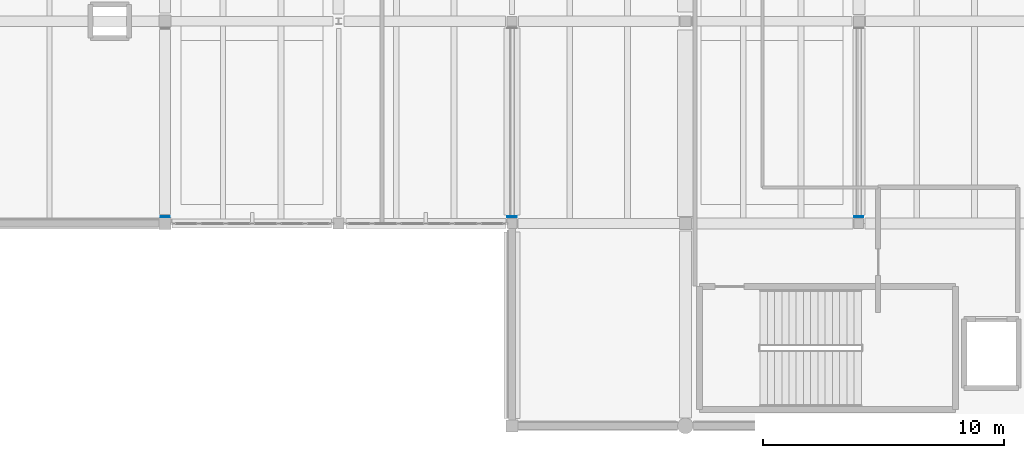
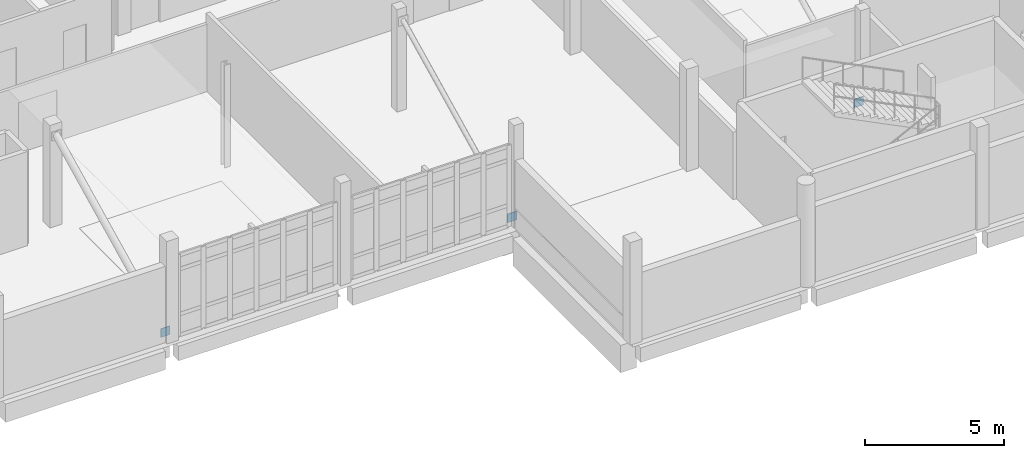
# One storey, part 25 of 34: 3 plates.
"""IFC4 building model written with IfcOpenShell, lengths in metres."""

from ifc_helpers import new_model, si_unit, direction, frame, origin, origin_2d, place, context, subcontext, project, spatial, rectangle, extrude, material, layer, layer_set, type_object, element, save


model = new_model("IFC4")

# Units and contexts
model_context = context("Model", 3, precision=1e-05, world=origin(), true_north=direction((0.0, 1.0)))
body_context = subcontext(model_context, "Body", "Model", "MODEL_VIEW")
ifc_project = project(units=[si_unit("LENGTHUNIT", "METRE"), si_unit("AREAUNIT", "SQUARE_METRE"), si_unit("VOLUMEUNIT", "CUBIC_METRE"), si_unit("PLANEANGLEUNIT", "RADIAN"), si_unit("MASSUNIT", "GRAM", prefix="KILO")], contexts=[model_context])

# Site, building, storey
site_placement = place(None, origin())
site = spatial("IfcSite", under=ifc_project, at=site_placement, CompositionType="ELEMENT")
building_placement = place(site_placement, origin())
building = spatial("IfcBuilding", under=site, at=building_placement, Name="Kalluvel Institute of Natural Sciences", CompositionType="ELEMENT")
storey_placement = place(building_placement, frame((0.0, 0.0, 36.89990234375)))
storey = spatial("IfcBuildingStorey", under=building, at=storey_placement, Name="L08", CompositionType="ELEMENT", Elevation=36.89990234375)

# Plates
ifc_material = material(Name="Steel E350 Grade 350", Category="steel")
ifc_layer = layer(ifc_material, 0.028076171875)
ifc_layer_set = layer_set([ifc_layer], Name="Steel E350 Grade 350")
plate_type = type_object("IfcPlateType", Name="PL-GUS-380x28", PredefinedType="USERDEFINED", material=ifc_layer_set)
for number, where, z_axis, x_axis, name in (
    (1, (21.199951171875, 103.080078125, -0.0498046875), (0.0, 0.0, 1.0), (1.0, 0.0, 0.0), "Crown lateral brace strut 1 node gusset and end cap plate S"),
    (2, (35.60009765625, 103.080078125, -0.0498046875), (0.0, 0.0, 1.0), (1.0, 0.0, 0.0), "Crown lateral brace strut 2 node gusset and end cap plate S"),
    (3, (50.0, 103.080078125, -0.0498046875), (0.0, 0.0, 1.0), (1.0, 0.0, 0.0), "Crown lateral brace strut 3 node gusset and end cap plate S"),
):
    element("IfcPlate", number, at=place(storey_placement, frame(where, z_axis=z_axis, x_axis=x_axis)), inside=storey, type_object=plate_type, Name=name, ObjectType="GUSSET PLATE", PredefinedType="USERDEFINED", context=body_context, shape_type="SweptSolid", body=[
        extrude(rectangle(XDim=0.3798828125, YDim=0.028076171875, at=origin_2d()), origin(), (0.0, 0.0, 1.0), 0.3798828125),
    ])

save(model, "model.ifc")
